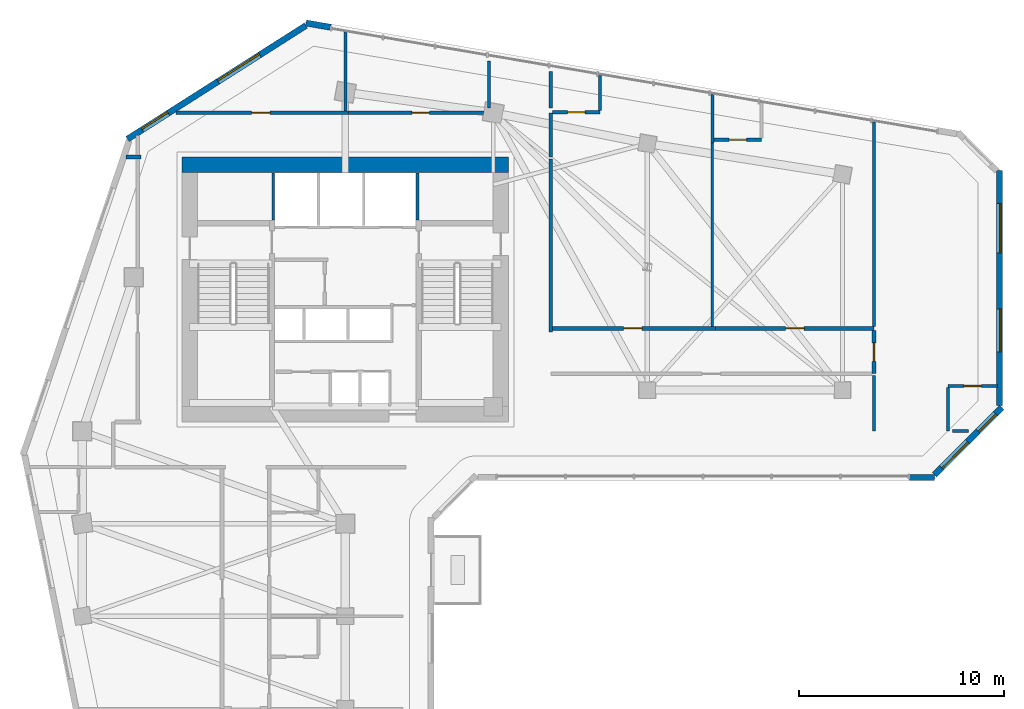
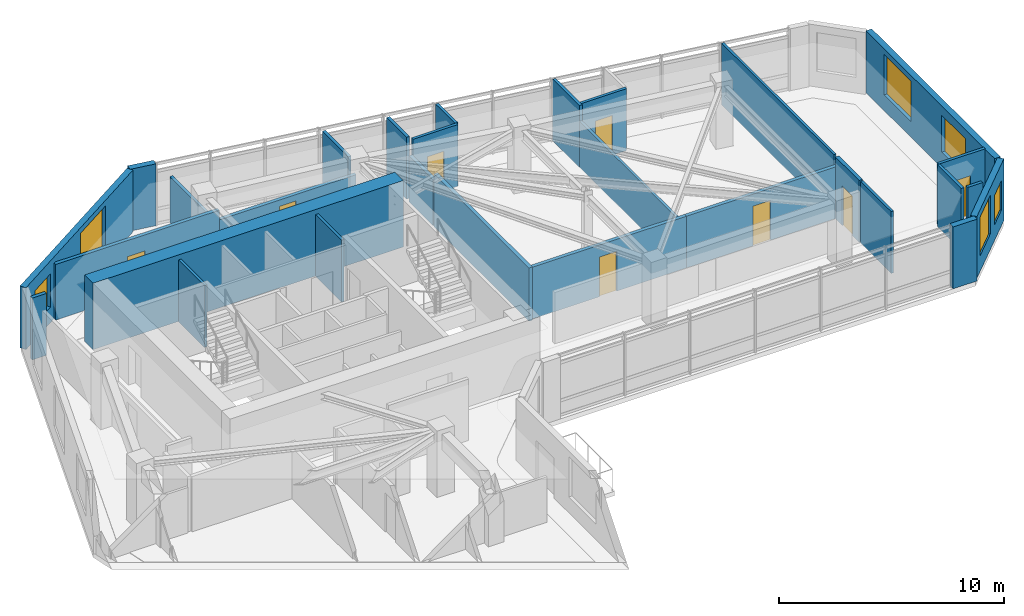
# One storey, part 6 of 10: 29 walls, 8 doors, 6 windows, 14 openings.
"""IFC4 building model written with IfcOpenShell, lengths in metres."""

from ifc_helpers import new_model, si_unit, direction, frame, frame_2d, origin, place, context, subcontext, project, spatial, rectangle, extrude, source, transform, mapped, material, layer, layer_set, type_object, element, fill, save


model = new_model("IFC4")

# Units and contexts
model_context = context("Model", 3, precision=1e-05, world=origin(), true_north=direction((0.0, 1.0)))
body_context = subcontext(model_context, "Body", "Model", "MODEL_VIEW")
ifc_project = project(units=[si_unit("LENGTHUNIT", "METRE"), si_unit("AREAUNIT", "SQUARE_METRE"), si_unit("VOLUMEUNIT", "CUBIC_METRE"), si_unit("PLANEANGLEUNIT", "RADIAN"), si_unit("MASSUNIT", "GRAM", prefix="KILO")], contexts=[model_context])

# Site, building, storey
site_placement = place(None, origin())
site = spatial("IfcSite", under=ifc_project, at=site_placement, CompositionType="ELEMENT")
building_placement = place(site_placement, origin())
building = spatial("IfcBuilding", under=site, at=building_placement, Name="Calvemar Wedge Station Tower", CompositionType="ELEMENT")
storey_placement = place(building_placement, frame((0.0, 0.0, 150.199951171875)))
storey = spatial("IfcBuildingStorey", under=building, at=storey_placement, Name="L37", CompositionType="ELEMENT", Elevation=150.199951171875)

# Walls
ifc_material_1 = material(Name="Concrete C70", Category="concrete")
ifc_layer_1 = layer(ifc_material_1, 0.75)
ifc_layer_set_1 = layer_set([ifc_layer_1], Name="Concrete C70")
wall_type_1 = type_object("IfcWallType", Name="SW-CORE-750", PredefinedType="SHEAR", material=ifc_layer_set_1)
wall_1_placement = place(storey_placement, frame((15.85009765625, 45.97509765625, 0.0), z_axis=(0.0, 0.0, 1.0), x_axis=(1.0, 0.0, 0.0)))
element("IfcWall", 1, at=wall_1_placement, inside=storey, type_object=wall_type_1, Name="Storey L37 Core Shear Wall N", PredefinedType="SHEAR", context=body_context, shape_type="SweptSolid", body=[
    extrude(rectangle(XDim=15.89990234375, YDim=0.75, at=frame_2d((7.949951171875, 0.0))), origin(), (0.0, 0.0, 1.0), 3.60009765625),
])
ifc_material_2 = material(Name="Double-stud fire-rated corridor partition")
ifc_layer_2 = layer(ifc_material_2, 0.179931640625)
ifc_layer_set_2 = layer_set([ifc_layer_2], Name="Double-stud fire-rated corridor partition")
wall_type_2 = type_object("IfcWallType", Name="W-CORR-180", PredefinedType="PARTITIONING", material=ifc_layer_set_2)
wall_2_placement = place(storey_placement, frame((13.860107421875, 46.35009765625, 0.0), z_axis=(0.0, 0.0, 1.0), x_axis=(-1.0, 0.0, 0.0)))
element("IfcWall", 2, at=wall_2_placement, inside=storey, type_object=wall_type_2, Name="Storey L37 Interior Partition WL-L37-011", PredefinedType="PARTITIONING", context=body_context, shape_type="SweptSolid", body=[
    extrude(rectangle(XDim=0.73486328125, YDim=0.179931640625, at=frame_2d((0.367431640625, 0.0))), origin(), (0.0, 0.0, 1.0), 3.35009765625),
])

# Wall, opening, door
wall_3_placement = place(storey_placement, frame((15.552490234375, 48.5, 0.0), z_axis=(0.0, 0.0, 1.0), x_axis=(1.0, 0.0, 0.0)))
wall_3 = element("IfcWall", 3, at=wall_3_placement, inside=storey, type_object=wall_type_2, Name="Storey L37 Interior Partition WL-L37-012", PredefinedType="PARTITIONING", context=body_context, shape_type="SweptSolid", body=[
    extrude(rectangle(XDim=8.407470703125, YDim=0.179931640625, at=frame_2d((4.20361328125, 0.0))), origin(), (0.0, 0.0, 1.0), 3.01904296875),
])
shared_shape_1 = source(origin(), body_context, "Body", "SweptSolid", [
    extrude(rectangle(XDim=0.89990234375, YDim=2.14990234375, at=frame_2d((0.449951171875, 1.074951171875))), frame((0.0, 0.10009765625, 0.0), z_axis=(0.0, -1.0, 0.0), x_axis=(1.0, 0.0, 0.0)), (0.0, 0.0, 1.0), 0.199951171875),
])
opening_1_placement = place(wall_3_placement, frame((3.69287109375, 0.0, 0.0)))
opening_1 = element("IfcOpeningElement", 4, at=opening_1_placement, cuts=wall_3, Name="Opening D-01", PredefinedType="OPENING", context=body_context, shape_type="MappedRepresentation", body=[
    mapped(shared_shape_1, transform((0.0, 0.0, 0.0), scale=1.0)),
])
ifc_material_3 = material(Name="Architectural hardwood acoustic swing door", Category="wood")
door_type_1 = type_object("IfcDoorType", Name="DR-INT-900", OperationType="NOTDEFINED", PredefinedType="DOOR", material=ifc_material_3)
shared_shape_2 = source(origin(), body_context, "Body", "SweptSolid", [
    extrude(rectangle(XDim=0.89990234375, YDim=2.14990234375, at=frame_2d((0.449951171875, 1.074951171875))), frame((0.0, 0.02490234375, 0.0), z_axis=(0.0, -1.0, 0.0), x_axis=(1.0, 0.0, 0.0)), (0.0, 0.0, 1.0), 0.050048828125),
])
door_1_placement = place(opening_1_placement, origin())
door_1 = element("IfcDoor", 5, at=door_1_placement, inside=storey, type_object=door_type_1, Name="L37 Business Centre Door", OperationType="SINGLE_SWING_LEFT", OverallHeight=2.14990234375, OverallWidth=0.89990234375, PredefinedType="DOOR", context=body_context, shape_type="MappedRepresentation", body=[
    mapped(shared_shape_2, transform((0.0, 0.0, 0.0), scale=1.0)),
])
fill(opening_1, door_1)

wall_4_placement = place(storey_placement, frame((23.9619140625, 48.5, 0.0), z_axis=(0.0, 0.0, 1.0), x_axis=(1.0, 0.0, 0.0)))
wall_4 = element("IfcWall", 6, at=wall_4_placement, inside=storey, type_object=wall_type_2, Name="Storey L37 Interior Partition WL-L37-013", PredefinedType="PARTITIONING", context=body_context, shape_type="SweptSolid", body=[
    extrude(rectangle(XDim=6.998046875, YDim=0.179931640625, at=frame_2d((3.4990234375, 0.0))), origin(), (0.0, 0.0, 1.0), 2.491943359375),
])
shared_shape_3 = source(origin(), body_context, "Body", "SweptSolid", [
    extrude(rectangle(XDim=0.85009765625, YDim=2.14990234375, at=frame_2d((0.425048828125, 1.074951171875))), frame((0.0, 0.10009765625, 0.0), z_axis=(0.0, -1.0, 0.0), x_axis=(1.0, 0.0, 0.0)), (0.0, 0.0, 1.0), 0.199951171875),
])
opening_2_placement = place(wall_4_placement, frame((3.073974609375, 0.0, 0.0)))
opening_2 = element("IfcOpeningElement", 7, at=opening_2_placement, cuts=wall_4, Name="Opening D-02", PredefinedType="OPENING", context=body_context, shape_type="MappedRepresentation", body=[
    mapped(shared_shape_3, transform((0.0, 0.0, 0.0), scale=1.0)),
])
ifc_material_4 = material(Name="Moisture-sealed bathroom hardwood swing door", Category="wood")
door_type_2 = type_object("IfcDoorType", Name="DR-WET-850", OperationType="NOTDEFINED", PredefinedType="DOOR", material=ifc_material_4)
shared_shape_4 = source(origin(), body_context, "Body", "SweptSolid", [
    extrude(rectangle(XDim=0.85009765625, YDim=2.14990234375, at=frame_2d((0.425048828125, 1.074951171875))), frame((0.0, 0.02490234375, 0.0), z_axis=(0.0, -1.0, 0.0), x_axis=(1.0, 0.0, 0.0)), (0.0, 0.0, 1.0), 0.050048828125),
])
door_2_placement = place(opening_2_placement, origin())
door_2 = element("IfcDoor", 8, at=door_2_placement, inside=storey, type_object=door_type_2, Name="L37 Accessible WC Door", OperationType="SINGLE_SWING_RIGHT", OverallHeight=2.14990234375, OverallWidth=0.85009765625, PredefinedType="DOOR", context=body_context, shape_type="MappedRepresentation", body=[
    mapped(shared_shape_4, transform((0.0, 0.0, 0.0), scale=1.0)),
])
fill(opening_2, door_2)

# Walls
wall_5_placement = place(storey_placement, frame((33.800048828125, 48.5, 0.0), z_axis=(0.0, 0.0, 1.0), x_axis=(0.0, -1.0, 0.0)))
element("IfcWall", 9, at=wall_5_placement, inside=storey, type_object=wall_type_2, Name="Storey L37 Interior Partition WL-L37-014", PredefinedType="PARTITIONING", context=body_context, shape_type="SweptSolid", body=[
    extrude(rectangle(XDim=2.14990234375, YDim=0.179931640625, at=frame_2d((1.074951171875, 0.0))), origin(), (0.0, 0.0, 1.0), 2.491943359375),
])
wall_6_placement = place(storey_placement, frame((33.800048828125, 46.256103515625, 0.0), z_axis=(0.0, 0.0, 1.0), x_axis=(0.0, -1.0, 0.0)))
element("IfcWall", 10, at=wall_6_placement, inside=storey, type_object=wall_type_2, Name="Storey L37 Interior Partition WL-L37-015", PredefinedType="PARTITIONING", context=body_context, shape_type="SweptSolid", body=[
    extrude(rectangle(XDim=8.416015625, YDim=0.179931640625, at=frame_2d((4.2080078125, 0.0))), origin(), (0.0, 0.0, 1.0), 2.879150390625),
])

# Wall, opening, door
wall_7_placement = place(storey_placement, frame((33.89404296875, 38.0, 0.0), z_axis=(0.0, 0.0, 1.0), x_axis=(1.0, 0.0, 0.0)))
wall_7 = element("IfcWall", 11, at=wall_7_placement, inside=storey, type_object=wall_type_2, Name="Storey L37 Interior Partition WL-L37-019", PredefinedType="PARTITIONING", context=body_context, shape_type="SweptSolid", body=[
    extrude(rectangle(XDim=7.932861328125, YDim=0.179931640625, at=frame_2d((3.96630859375, 0.0))), origin(), (0.0, 0.0, 1.0), 2.802978515625),
])
opening_3_placement = place(wall_7_placement, frame((3.455322265625, 0.0, 0.0)))
opening_3 = element("IfcOpeningElement", 12, at=opening_3_placement, cuts=wall_7, Name="Opening FD-60", PredefinedType="OPENING", context=body_context, shape_type="MappedRepresentation", body=[
    mapped(shared_shape_1, transform((0.0, 0.0, 0.0), scale=1.0)),
])
ifc_material_5 = material(Name="Fire-rated acoustic timber-core entrance door EI 60", Category="wood")
door_type_3 = type_object("IfcDoorType", Name="DR-FD60-900", OperationType="NOTDEFINED", PredefinedType="DOOR", material=ifc_material_5)
shared_shape_5 = source(origin(), body_context, "Body", "SweptSolid", [
    extrude(rectangle(XDim=0.89990234375, YDim=2.14990234375, at=frame_2d((0.449951171875, 1.074951171875))), frame((0.0, 0.02490234375, 0.0), z_axis=(0.0, -1.0, 0.0), x_axis=(1.0, 0.0, 0.0)), (0.0, 0.0, 1.0), 0.050048828125),
])
door_3_placement = place(opening_3_placement, origin())
door_3 = element("IfcDoor", 13, at=door_3_placement, inside=storey, type_object=door_type_3, Name="L37 Hotel Suite Door", OperationType="SINGLE_SWING_RIGHT", OverallHeight=2.14990234375, OverallWidth=0.89990234375, PredefinedType="DOOR", context=body_context, shape_type="MappedRepresentation", body=[
    mapped(shared_shape_5, transform((0.0, 0.0, 0.0), scale=1.0)),
])
fill(opening_3, door_3)

wall_8_placement = place(storey_placement, frame((41.8291015625, 38.0, 0.0), z_axis=(0.0, 0.0, 1.0), x_axis=(1.0, 0.0, 0.0)))
wall_8 = element("IfcWall", 14, at=wall_8_placement, inside=storey, type_object=wall_type_2, Name="Storey L37 Interior Partition WL-L37-020", PredefinedType="PARTITIONING", context=body_context, shape_type="SweptSolid", body=[
    extrude(rectangle(XDim=7.705810546875, YDim=0.179931640625, at=frame_2d((3.85302734375, 0.0))), origin(), (0.0, 0.0, 1.0), 2.802978515625),
])
opening_4_placement = place(wall_8_placement, frame((3.403076171875, 0.0, 0.0)))
opening_4 = element("IfcOpeningElement", 15, at=opening_4_placement, cuts=wall_8, Name="Opening FD-60", PredefinedType="OPENING", context=body_context, shape_type="MappedRepresentation", body=[
    mapped(shared_shape_1, transform((0.0, 0.0, 0.0), scale=1.0)),
])
door_4_placement = place(opening_4_placement, origin())
door_4 = element("IfcDoor", 16, at=door_4_placement, inside=storey, type_object=door_type_3, Name="L37 Hotel Suite Door", OperationType="SINGLE_SWING_RIGHT", OverallHeight=2.14990234375, OverallWidth=0.89990234375, PredefinedType="DOOR", context=body_context, shape_type="MappedRepresentation", body=[
    mapped(shared_shape_5, transform((0.0, 0.0, 0.0), scale=1.0)),
])
fill(opening_4, door_4)

wall_9_placement = place(storey_placement, frame((49.534912109375, 37.906005859375, 0.0), z_axis=(0.0, 0.0, 1.0), x_axis=(0.0, -1.0, 0.0)))
wall_9 = element("IfcWall", 17, at=wall_9_placement, inside=storey, type_object=wall_type_2, Name="Storey L37 Interior Partition WL-L37-021", PredefinedType="PARTITIONING", context=body_context, shape_type="SweptSolid", body=[
    extrude(rectangle(XDim=2.10595703125, YDim=0.179931640625, at=frame_2d((1.052978515625, 0.0))), origin(), (0.0, 0.0, 1.0), 3.35009765625),
])
opening_5_placement = place(wall_9_placement, frame((0.60302734375, 0.0, 0.0)))
opening_5 = element("IfcOpeningElement", 18, at=opening_5_placement, cuts=wall_9, Name="Opening FD-60", PredefinedType="OPENING", context=body_context, shape_type="MappedRepresentation", body=[
    mapped(shared_shape_1, transform((0.0, 0.0, 0.0), scale=1.0)),
])
door_5_placement = place(opening_5_placement, origin())
door_5 = element("IfcDoor", 19, at=door_5_placement, inside=storey, type_object=door_type_3, Name="L37 Hotel Suite Door", OperationType="SINGLE_SWING_RIGHT", OverallHeight=2.14990234375, OverallWidth=0.89990234375, PredefinedType="DOOR", context=body_context, shape_type="MappedRepresentation", body=[
    mapped(shared_shape_5, transform((0.0, 0.0, 0.0), scale=1.0)),
])
fill(opening_5, door_5)

# Wall
ifc_material_6 = material(Name="Precast concrete C45", Category="concrete")
ifc_layer_3 = layer(ifc_material_6, 0.300048828125)
ifc_layer_set_3 = layer_set([ifc_layer_3], Name="Precast concrete C45")
wall_type_3 = type_object("IfcWallType", Name="W-EXT-GFRC-300", PredefinedType="SOLIDWALL", material=ifc_layer_set_3)
wall_10_placement = place(storey_placement, frame((51.260498046875, 30.741943359375, 0.0), z_axis=(0.0, 0.0, 1.0), x_axis=(1.0, 0.0, 0.0)))
element("IfcWall", 20, at=wall_10_placement, inside=storey, type_object=wall_type_3, Name="Storey L37 Bronze GFRC Corner Pier 6B", PredefinedType="SOLIDWALL", context=body_context, shape_type="SweptSolid", body=[
    extrude(rectangle(XDim=1.227294921875, YDim=0.300048828125, at=frame_2d((0.61376953125, 0.0))), origin(), (0.0, 0.0, 1.0), 3.35009765625),
])

# Wall, openings, windows
wall_11_placement = place(storey_placement, frame((52.475830078125, 30.8798828125, 0.0), z_axis=(0.0, 0.0, 1.0), x_axis=(0.707106781187, 0.707106781187, 0.0)))
wall_11 = element("IfcWall", 21, at=wall_11_placement, inside=storey, type_object=wall_type_3, Name="Storey L37 Bronze GFRC Exterior Wall 7", PredefinedType="SOLIDWALL", context=body_context, shape_type="SweptSolid", body=[
    extrude(rectangle(XDim=4.638916015625, YDim=0.300048828125, at=frame_2d((2.3193359375, 0.0))), origin(), (0.0, 0.0, 1.0), 3.35009765625),
])
shared_shape_6 = source(origin(), body_context, "Body", "SweptSolid", [
    extrude(rectangle(XDim=1.800048828125, YDim=2.10009765625, at=frame_2d((0.89990234375, 1.050048828125))), frame((0.0, 0.16015625, 0.0), z_axis=(0.0, -1.0, 0.0), x_axis=(1.0, 0.0, 0.0)), (0.0, 0.0, 1.0), 0.320068359375),
])
opening_6_placement = place(wall_11_placement, frame((0.48193359375, 0.0, 0.85009765625)))
opening_6 = element("IfcOpeningElement", 22, at=opening_6_placement, cuts=wall_11, Name="Opening W2", PredefinedType="OPENING", context=body_context, shape_type="MappedRepresentation", body=[
    mapped(shared_shape_6, transform((0.0, 0.0, 0.0), scale=1.0)),
])
shared_shape_7 = source(origin(), body_context, "Body", "SweptSolid", [
    extrude(rectangle(XDim=1.199951171875, YDim=1.60009765625, at=frame_2d((0.60009765625, 0.800048828125))), frame((0.0, 0.16015625, 0.0), z_axis=(0.0, -1.0, 0.0), x_axis=(1.0, 0.0, 0.0)), (0.0, 0.0, 1.0), 0.320068359375),
])
opening_7_placement = place(wall_11_placement, frame((3.0009765625, 0.0, 0.85009765625)))
opening_7 = element("IfcOpeningElement", 23, at=opening_7_placement, cuts=wall_11, Name="Opening W5", PredefinedType="OPENING", context=body_context, shape_type="MappedRepresentation", body=[
    mapped(shared_shape_7, transform((0.0, 0.0, 0.0), scale=1.0)),
])
ifc_material_7 = material(Name="Low-E laminated insulated glass", Category="glass")
window_type_1 = type_object("IfcWindowType", Name="WIN-EXT-2", PartitioningType="SINGLE_PANEL", PredefinedType="WINDOW", material=ifc_material_7)
shared_shape_8 = source(origin(), body_context, "Body", "SweptSolid", [
    extrude(rectangle(XDim=1.800048828125, YDim=2.10009765625, at=frame_2d((0.89990234375, 1.050048828125))), frame((0.0, -0.014892578125, 0.0), z_axis=(0.0, -1.0, 0.0), x_axis=(1.0, 0.0, 0.0)), (0.0, 0.0, 1.0), 0.06005859375),
])
window_1_placement = place(opening_6_placement, origin())
window_1 = element("IfcWindow", 24, at=window_1_placement, inside=storey, type_object=window_type_1, Name="Storey L37 Recessed Window 7.1", OverallHeight=2.10009765625, OverallWidth=1.800048828125, PartitioningType="SINGLE_PANEL", PredefinedType="WINDOW", context=body_context, shape_type="MappedRepresentation", body=[
    mapped(shared_shape_8, transform((0.0, 0.0, 0.0), scale=1.0)),
])
fill(opening_6, window_1)
window_type_2 = type_object("IfcWindowType", Name="WIN-EXT-5", PartitioningType="SINGLE_PANEL", PredefinedType="WINDOW", material=ifc_material_7)
shared_shape_9 = source(origin(), body_context, "Body", "SweptSolid", [
    extrude(rectangle(XDim=1.199951171875, YDim=1.60009765625, at=frame_2d((0.60009765625, 0.800048828125))), frame((0.0, -0.014892578125, 0.0), z_axis=(0.0, -1.0, 0.0), x_axis=(1.0, 0.0, 0.0)), (0.0, 0.0, 1.0), 0.06005859375),
])
window_2_placement = place(opening_7_placement, origin())
window_2 = element("IfcWindow", 25, at=window_2_placement, inside=storey, type_object=window_type_2, Name="Storey L37 Recessed Window 7.2", OverallHeight=1.60009765625, OverallWidth=1.199951171875, PartitioningType="SINGLE_PANEL", PredefinedType="WINDOW", context=body_context, shape_type="MappedRepresentation", body=[
    mapped(shared_shape_9, transform((0.0, 0.0, 0.0), scale=1.0)),
])
fill(opening_7, window_2)

wall_12_placement = place(storey_placement, frame((55.64990234375, 34.249267578125, 0.0), z_axis=(0.0, 0.0, 1.0), x_axis=(0.0, 1.0, 0.0)))
wall_12 = element("IfcWall", 26, at=wall_12_placement, inside=storey, type_object=wall_type_3, Name="Storey L37 Bronze GFRC Exterior Wall 8", PredefinedType="SOLIDWALL", context=body_context, shape_type="SweptSolid", body=[
    extrude(rectangle(XDim=11.4306640625, YDim=0.300048828125, at=frame_2d((5.71533203125, 0.0))), origin(), (0.0, 0.0, 1.0), 3.35009765625),
])
shared_shape_10 = source(origin(), body_context, "Body", "SweptSolid", [
    extrude(rectangle(XDim=2.10009765625, YDim=2.0, at=frame_2d((1.050048828125, 1.0))), frame((0.0, 0.16015625, 0.0), z_axis=(0.0, -1.0, 0.0), x_axis=(1.0, 0.0, 0.0)), (0.0, 0.0, 1.0), 0.320068359375),
])
opening_8_placement = place(wall_12_placement, frame((2.60595703125, 0.0, 0.85009765625)))
opening_8 = element("IfcOpeningElement", 27, at=opening_8_placement, cuts=wall_12, Name="Opening W4", PredefinedType="OPENING", context=body_context, shape_type="MappedRepresentation", body=[
    mapped(shared_shape_10, transform((0.0, 0.0, 0.0), scale=1.0)),
])
shared_shape_11 = source(origin(), body_context, "Body", "SweptSolid", [
    extrude(rectangle(XDim=2.39990234375, YDim=2.199951171875, at=frame_2d((1.199951171875, 1.10009765625))), frame((0.0, 0.16015625, 0.0), z_axis=(0.0, -1.0, 0.0), x_axis=(1.0, 0.0, 0.0)), (0.0, 0.0, 1.0), 0.320068359375),
])
opening_9_placement = place(wall_12_placement, frame((7.426025390625, 0.0, 0.85009765625)))
opening_9 = element("IfcOpeningElement", 28, at=opening_9_placement, cuts=wall_12, Name="Opening W1", PredefinedType="OPENING", context=body_context, shape_type="MappedRepresentation", body=[
    mapped(shared_shape_11, transform((0.0, 0.0, 0.0), scale=1.0)),
])
window_type_3 = type_object("IfcWindowType", Name="WIN-EXT-4", PartitioningType="SINGLE_PANEL", PredefinedType="WINDOW", material=ifc_material_7)
shared_shape_12 = source(origin(), body_context, "Body", "SweptSolid", [
    extrude(rectangle(XDim=2.10009765625, YDim=2.0, at=frame_2d((1.050048828125, 1.0))), frame((0.0, -0.014892578125, 0.0), z_axis=(0.0, -1.0, 0.0), x_axis=(1.0, 0.0, 0.0)), (0.0, 0.0, 1.0), 0.06005859375),
])
window_3_placement = place(opening_8_placement, origin())
window_3 = element("IfcWindow", 29, at=window_3_placement, inside=storey, type_object=window_type_3, Name="Storey L37 Recessed Window 8.1", OverallHeight=2.0, OverallWidth=2.10009765625, PartitioningType="SINGLE_PANEL", PredefinedType="WINDOW", context=body_context, shape_type="MappedRepresentation", body=[
    mapped(shared_shape_12, transform((0.0, 0.0, 0.0), scale=1.0)),
])
fill(opening_8, window_3)
window_type_4 = type_object("IfcWindowType", Name="WIN-EXT-1", PartitioningType="SINGLE_PANEL", PredefinedType="WINDOW", material=ifc_material_7)
shared_shape_13 = source(origin(), body_context, "Body", "SweptSolid", [
    extrude(rectangle(XDim=2.39990234375, YDim=2.199951171875, at=frame_2d((1.199951171875, 1.10009765625))), frame((0.0, -0.014892578125, 0.0), z_axis=(0.0, -1.0, 0.0), x_axis=(1.0, 0.0, 0.0)), (0.0, 0.0, 1.0), 0.06005859375),
])
window_4_placement = place(opening_9_placement, origin())
window_4 = element("IfcWindow", 30, at=window_4_placement, inside=storey, type_object=window_type_4, Name="Storey L37 Recessed Window 8.2", OverallHeight=2.199951171875, OverallWidth=2.39990234375, PartitioningType="SINGLE_PANEL", PredefinedType="WINDOW", context=body_context, shape_type="MappedRepresentation", body=[
    mapped(shared_shape_13, transform((0.0, 0.0, 0.0), scale=1.0)),
])
fill(opening_9, window_4)

# Wall
wall_13_placement = place(storey_placement, frame((23.093994140625, 52.661865234375, 0.0), z_axis=(0.0, 0.0, 1.0), x_axis=(-0.985845658291, 0.167655414553, 0.0)))
element("IfcWall", 31, at=wall_13_placement, inside=storey, type_object=wall_type_3, Name="Storey L37 Bronze GFRC Corner Pier 10B", PredefinedType="SOLIDWALL", context=body_context, shape_type="SweptSolid", body=[
    extrude(rectangle(XDim=1.2275390625, YDim=0.300048828125, at=frame_2d((0.61376953125, 0.0))), origin(), (0.0, 0.0, 1.0), 3.35009765625),
])

# Wall, openings, windows
wall_14_placement = place(storey_placement, frame((21.874755859375, 52.742431640625, 0.0), z_axis=(0.0, 0.0, 1.0), x_axis=(-0.843662465249, -0.536873956092, 0.0)))
wall_14 = element("IfcWall", 32, at=wall_14_placement, inside=storey, type_object=wall_type_3, Name="Storey L37 Bronze GFRC Exterior Wall 11", PredefinedType="SOLIDWALL", context=body_context, shape_type="SweptSolid", body=[
    extrude(rectangle(XDim=10.283935546875, YDim=0.300048828125, at=frame_2d((5.14208984375, 0.0))), origin(), (0.0, 0.0, 1.0), 3.35009765625),
])
opening_10_placement = place(wall_14_placement, frame((2.656005859375, 0.0, 0.85009765625)))
opening_10 = element("IfcOpeningElement", 33, at=opening_10_placement, cuts=wall_14, Name="Opening W1", PredefinedType="OPENING", context=body_context, shape_type="MappedRepresentation", body=[
    mapped(shared_shape_11, transform((0.0, 0.0, 0.0), scale=1.0)),
])
shared_shape_14 = source(origin(), body_context, "Body", "SweptSolid", [
    extrude(rectangle(XDim=1.5, YDim=1.800048828125, at=frame_2d((0.75, 0.89990234375))), frame((0.0, 0.16015625, 0.0), z_axis=(0.0, -1.0, 0.0), x_axis=(1.0, 0.0, 0.0)), (0.0, 0.0, 1.0), 0.320068359375),
])
opening_11_placement = place(wall_14_placement, frame((7.93701171875, 0.0, 0.85009765625)))
opening_11 = element("IfcOpeningElement", 34, at=opening_11_placement, cuts=wall_14, Name="Opening W3", PredefinedType="OPENING", context=body_context, shape_type="MappedRepresentation", body=[
    mapped(shared_shape_14, transform((0.0, 0.0, 0.0), scale=1.0)),
])
window_5_placement = place(opening_10_placement, origin())
window_5 = element("IfcWindow", 35, at=window_5_placement, inside=storey, type_object=window_type_4, Name="Storey L37 Recessed Window 11.1", OverallHeight=2.199951171875, OverallWidth=2.39990234375, PartitioningType="SINGLE_PANEL", PredefinedType="WINDOW", context=body_context, shape_type="MappedRepresentation", body=[
    mapped(shared_shape_13, transform((0.0, 0.0, 0.0), scale=1.0)),
])
fill(opening_10, window_5)
window_type_5 = type_object("IfcWindowType", Name="WIN-EXT-3", PartitioningType="SINGLE_PANEL", PredefinedType="WINDOW", material=ifc_material_7)
shared_shape_15 = source(origin(), body_context, "Body", "SweptSolid", [
    extrude(rectangle(XDim=1.5, YDim=1.800048828125, at=frame_2d((0.75, 0.89990234375))), frame((0.0, -0.014892578125, 0.0), z_axis=(0.0, -1.0, 0.0), x_axis=(1.0, 0.0, 0.0)), (0.0, 0.0, 1.0), 0.06005859375),
])
window_6_placement = place(opening_11_placement, origin())
window_6 = element("IfcWindow", 36, at=window_6_placement, inside=storey, type_object=window_type_5, Name="Storey L37 Recessed Window 11.2", OverallHeight=1.800048828125, OverallWidth=1.5, PartitioningType="SINGLE_PANEL", PredefinedType="WINDOW", context=body_context, shape_type="MappedRepresentation", body=[
    mapped(shared_shape_15, transform((0.0, 0.0, 0.0), scale=1.0)),
])
fill(opening_11, window_6)

# Walls
ifc_material_8 = material(Name="Reinforced concrete blockwork lift shaft wall", Category="masonry")
ifc_layer_4 = layer(ifc_material_8, 0.139892578125)
ifc_layer_set_4 = layer_set([ifc_layer_4], Name="Reinforced concrete blockwork lift shaft wall")
wall_type_4 = type_object("IfcWallType", Name="W-LIFT-160", PredefinedType="SOLIDWALL", material=ifc_layer_set_4)
for number, where, z_axis, x_axis, name in (
    (37, (20.2900390625, 43.280029296875, 0.0), (0.0, 0.0, 1.0), (0.0, 1.0, 0.0), "Storey L37 Firefighting Lift Shaft Enclosure Wall W"),
    (38, (27.31005859375, 43.280029296875, 0.0), (0.0, 0.0, 1.0), (0.0, 1.0, 0.0), "Storey L37 Firefighting Lift Shaft Enclosure Wall E"),
):
    element("IfcWall", number, at=place(storey_placement, frame(where, z_axis=z_axis, x_axis=x_axis)), inside=storey, type_object=wall_type_4, Name=name, PredefinedType="SOLIDWALL", context=body_context, shape_type="SweptSolid", body=[
        extrude(rectangle(XDim=2.300048828125, YDim=0.139892578125, at=frame_2d((1.14990234375, 0.0))), origin(), (0.0, 0.0, 1.0), 3.35009765625),
    ])
ifc_material_9 = material(Name="Insulated acoustic gypsum stud partition")
ifc_layer_5 = layer(ifc_material_9, 0.125)
ifc_layer_set_5 = layer_set([ifc_layer_5], Name="Insulated acoustic gypsum stud partition")
wall_type_5 = type_object("IfcWallType", Name="W-PART-125", PredefinedType="PARTITIONING", material=ifc_layer_set_5)
wall_15_placement = place(storey_placement, frame((41.6669921875, 47.024658203125, 0.0), z_axis=(0.0, 0.0, 1.0), x_axis=(0.0, -1.0, 0.0)))
element("IfcWall", 39, at=wall_15_placement, inside=storey, type_object=wall_type_5, Name="Storey L37 Interior Partition WL-L37-026", PredefinedType="PARTITIONING", context=body_context, shape_type="SweptSolid", body=[
    extrude(rectangle(XDim=8.9306640625, YDim=0.125, at=frame_2d((4.46533203125, 0.0))), origin(), (0.0, 0.0, 1.0), 2.491943359375),
])
wall_16_placement = place(storey_placement, frame((49.534912109375, 48.048583984375, 0.0), z_axis=(0.0, 0.0, 1.0), x_axis=(0.0, -1.0, 0.0)))
element("IfcWall", 40, at=wall_16_placement, inside=storey, type_object=wall_type_5, Name="Storey L37 Interior Partition WL-L37-029", PredefinedType="PARTITIONING", context=body_context, shape_type="SweptSolid", body=[
    extrude(rectangle(XDim=9.95458984375, YDim=0.125, at=frame_2d((4.977294921875, 0.0))), origin(), (0.0, 0.0, 1.0), 3.35009765625),
])
wall_17_placement = place(storey_placement, frame((49.534912109375, 33.0, 0.0), z_axis=(0.0, 0.0, 1.0), x_axis=(0.0, 1.0, 0.0)))
element("IfcWall", 41, at=wall_17_placement, inside=storey, type_object=wall_type_5, Name="Storey L37 Interior Partition WL-L37-032", PredefinedType="PARTITIONING", context=body_context, shape_type="SweptSolid", body=[
    extrude(rectangle(XDim=2.7060546875, YDim=0.125, at=frame_2d((1.35302734375, 0.0))), origin(), (0.0, 0.0, 1.0), 3.35009765625),
])
ifc_material_10 = material(Name="Moisture-resistant acoustic bathroom partition")
ifc_layer_6 = layer(ifc_material_10, 0.14990234375)
ifc_layer_set_6 = layer_set([ifc_layer_6], Name="Moisture-resistant acoustic bathroom partition")
wall_type_6 = type_object("IfcWallType", Name="W-WET-150", PredefinedType="PARTITIONING", material=ifc_layer_set_6)
wall_18_placement = place(storey_placement, frame((23.800048828125, 52.425048828125, 0.0), z_axis=(0.0, 0.0, 1.0), x_axis=(0.0, -1.0, 0.0)))
element("IfcWall", 42, at=wall_18_placement, inside=storey, type_object=wall_type_6, Name="Storey L37 Interior Partition WL-L37-018", PredefinedType="PARTITIONING", context=body_context, shape_type="SweptSolid", body=[
    extrude(rectangle(XDim=3.8310546875, YDim=0.14990234375, at=frame_2d((1.91552734375, 0.0))), origin(), (0.0, 0.0, 1.0), 2.491943359375),
])

# Wall, opening, door
wall_19_placement = place(storey_placement, frame((36.199951171875, 48.5244140625, 0.0), z_axis=(0.0, 0.0, 1.0), x_axis=(-1.0, 0.0, 0.0)))
wall_19 = element("IfcWall", 43, at=wall_19_placement, inside=storey, type_object=wall_type_6, Name="Storey L37 Interior Partition WL-L37-023", PredefinedType="PARTITIONING", context=body_context, shape_type="SweptSolid", body=[
    extrude(rectangle(XDim=2.305908203125, YDim=0.14990234375, at=frame_2d((1.15283203125, 0.0))), origin(), (0.0, 0.0, 1.0), 3.35009765625),
])
shared_shape_16 = source(origin(), body_context, "Body", "SweptSolid", [
    extrude(rectangle(XDim=0.85009765625, YDim=2.14990234375, at=frame_2d((0.425048828125, 1.074951171875))), frame((0.0, 0.0849609375, 0.0), z_axis=(0.0, -1.0, 0.0), x_axis=(1.0, 0.0, 0.0)), (0.0, 0.0, 1.0), 0.169921875),
])
opening_12_placement = place(wall_19_placement, frame((0.72802734375, 0.0, 0.0)))
opening_12 = element("IfcOpeningElement", 44, at=opening_12_placement, cuts=wall_19, Name="Opening D-02", PredefinedType="OPENING", context=body_context, shape_type="MappedRepresentation", body=[
    mapped(shared_shape_16, transform((0.0, 0.0, 0.0), scale=1.0)),
])
door_6_placement = place(opening_12_placement, origin())
door_6 = element("IfcDoor", 45, at=door_6_placement, inside=storey, type_object=door_type_2, Name="L37 En-Suite Bathroom Door", OperationType="SINGLE_SWING_LEFT", OverallHeight=2.14990234375, OverallWidth=0.85009765625, PredefinedType="DOOR", context=body_context, shape_type="MappedRepresentation", body=[
    mapped(shared_shape_4, transform((0.0, 0.0, 0.0), scale=1.0)),
])
fill(opening_12, door_6)

# Walls
wall_20_placement = place(storey_placement, frame((36.199951171875, 50.31640625, 0.0), z_axis=(0.0, 0.0, 1.0), x_axis=(0.0, -1.0, 0.0)))
element("IfcWall", 46, at=wall_20_placement, inside=storey, type_object=wall_type_6, Name="Storey L37 Interior Partition WL-L37-024", PredefinedType="PARTITIONING", context=body_context, shape_type="SweptSolid", body=[
    extrude(rectangle(XDim=1.712890625, YDim=0.14990234375, at=frame_2d((0.8564453125, 0.0))), origin(), (0.0, 0.0, 1.0), 3.35009765625),
])
wall_21_placement = place(storey_placement, frame((41.6669921875, 49.38671875, 0.0), z_axis=(0.0, 0.0, 1.0), x_axis=(0.0, -1.0, 0.0)))
element("IfcWall", 47, at=wall_21_placement, inside=storey, type_object=wall_type_6, Name="Storey L37 Interior Partition WL-L37-025", PredefinedType="PARTITIONING", context=body_context, shape_type="SweptSolid", body=[
    extrude(rectangle(XDim=2.360107421875, YDim=0.14990234375, at=frame_2d((1.18017578125, 0.0))), origin(), (0.0, 0.0, 1.0), 3.35009765625),
])

# Wall, opening, door
wall_22_placement = place(storey_placement, frame((44.06689453125, 47.1865234375, 0.0), z_axis=(0.0, 0.0, 1.0), x_axis=(-1.0, 0.0, 0.0)))
wall_22 = element("IfcWall", 48, at=wall_22_placement, inside=storey, type_object=wall_type_6, Name="Storey L37 Interior Partition WL-L37-027", PredefinedType="PARTITIONING", context=body_context, shape_type="SweptSolid", body=[
    extrude(rectangle(XDim=2.32080078125, YDim=0.14990234375, at=frame_2d((1.160400390625, 0.0))), origin(), (0.0, 0.0, 1.0), 3.35009765625),
])
opening_13_placement = place(wall_22_placement, frame((0.735595703125, 0.0, 0.0)))
opening_13 = element("IfcOpeningElement", 49, at=opening_13_placement, cuts=wall_22, Name="Opening D-02", PredefinedType="OPENING", context=body_context, shape_type="MappedRepresentation", body=[
    mapped(shared_shape_16, transform((0.0, 0.0, 0.0), scale=1.0)),
])
door_7_placement = place(opening_13_placement, origin())
door_7 = element("IfcDoor", 50, at=door_7_placement, inside=storey, type_object=door_type_2, Name="L37 En-Suite Bathroom Door", OperationType="SINGLE_SWING_LEFT", OverallHeight=2.14990234375, OverallWidth=0.85009765625, PredefinedType="DOOR", context=body_context, shape_type="MappedRepresentation", body=[
    mapped(shared_shape_4, transform((0.0, 0.0, 0.0), scale=1.0)),
])
fill(opening_13, door_7)

wall_23_placement = place(storey_placement, frame((53.135009765625, 35.199951171875, 0.0), z_axis=(0.0, 0.0, 1.0), x_axis=(1.0, 0.0, 0.0)))
wall_23 = element("IfcWall", 51, at=wall_23_placement, inside=storey, type_object=wall_type_6, Name="Storey L37 Interior Partition WL-L37-030", PredefinedType="PARTITIONING", context=body_context, shape_type="SweptSolid", body=[
    extrude(rectangle(XDim=2.39990234375, YDim=0.14990234375, at=frame_2d((1.199951171875, 0.0))), origin(), (0.0, 0.0, 1.0), 3.35009765625),
])
opening_14_placement = place(wall_23_placement, frame((0.77490234375, 0.0, 0.0)))
opening_14 = element("IfcOpeningElement", 52, at=opening_14_placement, cuts=wall_23, Name="Opening D-02", PredefinedType="OPENING", context=body_context, shape_type="MappedRepresentation", body=[
    mapped(shared_shape_16, transform((0.0, 0.0, 0.0), scale=1.0)),
])
door_8_placement = place(opening_14_placement, origin())
door_8 = element("IfcDoor", 53, at=door_8_placement, inside=storey, type_object=door_type_2, Name="L37 En-Suite Bathroom Door", OperationType="SINGLE_SWING_LEFT", OverallHeight=2.14990234375, OverallWidth=0.85009765625, PredefinedType="DOOR", context=body_context, shape_type="MappedRepresentation", body=[
    mapped(shared_shape_4, transform((0.0, 0.0, 0.0), scale=1.0)),
])
fill(opening_14, door_8)

# Walls
wall_24_placement = place(storey_placement, frame((53.135009765625, 33.0, 0.0), z_axis=(0.0, 0.0, 1.0), x_axis=(0.0, 1.0, 0.0)))
element("IfcWall", 54, at=wall_24_placement, inside=storey, type_object=wall_type_6, Name="Storey L37 Interior Partition WL-L37-031", PredefinedType="PARTITIONING", context=body_context, shape_type="SweptSolid", body=[
    extrude(rectangle(XDim=2.12109375, YDim=0.14990234375, at=frame_2d((1.060546875, 0.0))), origin(), (0.0, 0.0, 1.0), 3.35009765625),
])
wall_25_placement = place(storey_placement, frame((30.800048828125, 51.011474609375, 0.0), z_axis=(0.0, 0.0, 1.0), x_axis=(0.0, -1.0, 0.0)))
element("IfcWall", 55, at=wall_25_placement, inside=storey, type_object=wall_type_6, Name="Storey L37 Bathroom Enclosure Wall WL-L37-049", PredefinedType="PARTITIONING", context=body_context, shape_type="SweptSolid", body=[
    extrude(rectangle(XDim=2.29150390625, YDim=0.14990234375, at=frame_2d((1.145751953125, 0.0))), origin(), (0.0, 0.0, 1.0), 3.35009765625),
])
wall_26_placement = place(storey_placement, frame((33.800048828125, 48.72314453125, 0.0), z_axis=(0.0, 0.0, 1.0), x_axis=(0.0, 1.0, 0.0)))
element("IfcWall", 56, at=wall_26_placement, inside=storey, type_object=wall_type_6, Name="Storey L37 Bathroom Enclosure Wall WL-L37-050", PredefinedType="PARTITIONING", context=body_context, shape_type="SweptSolid", body=[
    extrude(rectangle(XDim=1.778076171875, YDim=0.14990234375, at=frame_2d((0.88916015625, 0.0))), origin(), (0.0, 0.0, 1.0), 3.35009765625),
])
wall_27_placement = place(storey_placement, frame((54.1220703125, 33.0, 0.0), z_axis=(0.0, 0.0, 1.0), x_axis=(-1.0, 0.0, 0.0)))
element("IfcWall", 57, at=wall_27_placement, inside=storey, type_object=wall_type_6, Name="Storey L37 Bathroom Enclosure Wall WL-L37-051", PredefinedType="PARTITIONING", context=body_context, shape_type="SweptSolid", body=[
    extrude(rectangle(XDim=0.76708984375, YDim=0.14990234375, at=frame_2d((0.383544921875, 0.0))), origin(), (0.0, 0.0, 1.0), 3.35009765625),
])

save(model, "model.ifc")
